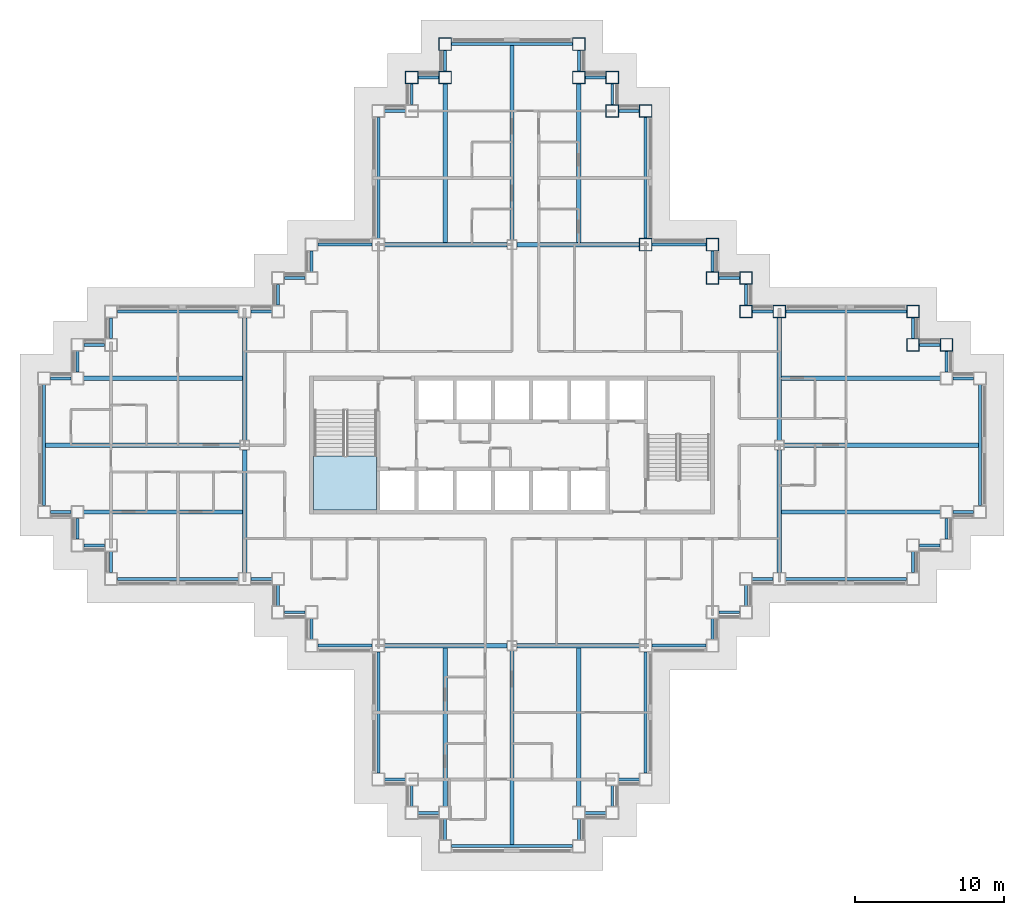
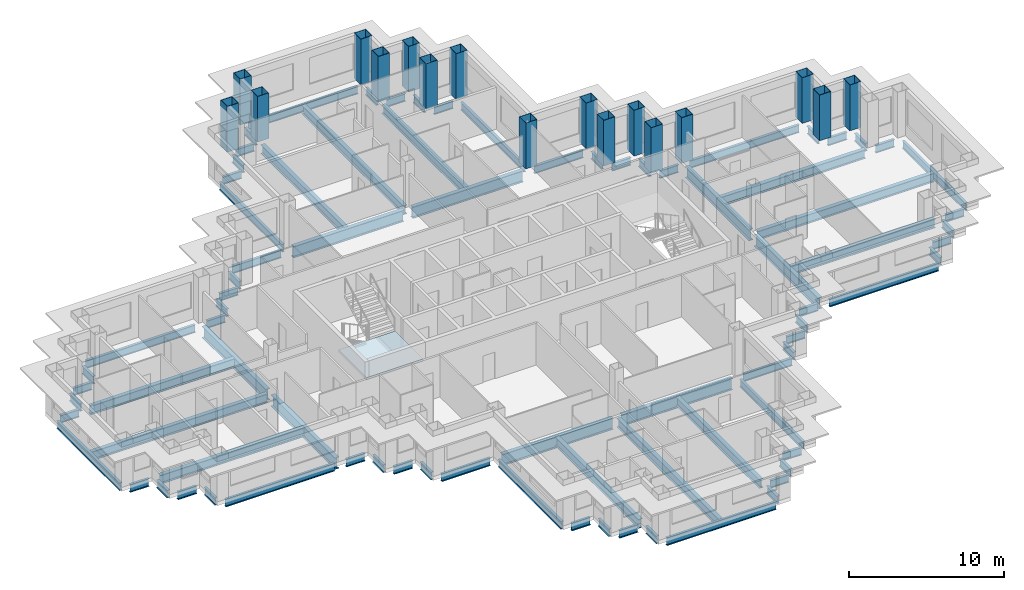
# One storey, part 2 of 16: 84 beams, 17 columns, 1 slab, 1 element without a shape of its own.
"""IFC4 building model written with IfcOpenShell, lengths in metres."""

from ifc_helpers import new_model, si_unit, direction, frame, origin, origin_2d, place, context, subcontext, project, spatial, polyline, hollow_rectangle, i_section, outline, extrude, material, layer, layer_set, material_profile, profile_set, type_object, element, aggregate, save


model = new_model("IFC4")

# Units and contexts
model_context = context("Model", 3, precision=1e-05, world=origin(), true_north=direction((0.0, 1.0)))
body_context = subcontext(model_context, "Body", "Model", "MODEL_VIEW")
ifc_project = project(units=[si_unit("LENGTHUNIT", "METRE"), si_unit("AREAUNIT", "SQUARE_METRE"), si_unit("VOLUMEUNIT", "CUBIC_METRE"), si_unit("PLANEANGLEUNIT", "RADIAN"), si_unit("MASSUNIT", "GRAM", prefix="KILO")], contexts=[model_context])

# Site, building, storey
site_placement = place(None, origin())
site = spatial("IfcSite", under=ifc_project, at=site_placement, CompositionType="ELEMENT")
building_placement = place(site_placement, origin())
building = spatial("IfcBuilding", under=site, at=building_placement, Name="Caravel Reach Hotel and Residences", CompositionType="ELEMENT")
storey_placement = place(building_placement, frame((0.0, 0.0, 133.199951171875)))
storey = spatial("IfcBuildingStorey", under=building, at=storey_placement, Name="L33", CompositionType="ELEMENT", Elevation=133.199951171875)

# Columns
ifc_material_1 = material(Name="Concrete-filled steel tube Q390B with Concrete C70 infill", Category="concrete")
ifc_material_profile_1 = material_profile(ifc_material_1, hollow_rectangle(XDim=0.85009765625, YDim=0.85009765625, WallThickness=0.02587890625, at=origin_2d()), Name="RHS 850x850x26")
ifc_profile_set_1 = profile_set([ifc_material_profile_1], Name="Concrete-filled steel tube Q390B with Concrete C70 infill")
column_type = type_object("IfcColumnType", Name="CFT 850x850 Q390B C70", PredefinedType="COLUMN", material=ifc_profile_set_1)
for number, where, z_axis, x_axis, name in (
    (1, (60.75, 33.75, 0.0), (0.0, 0.0, 1.0), (1.0, 0.0, 0.0), "C13 column"),
    (2, (58.5, 33.75, 0.0), (0.0, 0.0, 1.0), (1.0, 0.0, 0.0), "C13 column"),
    (3, (58.5, 36.0, 0.0), (0.0, 0.0, 1.0), (1.0, 0.0, 0.0), "C13 column"),
    (4, (49.5, 36.0, 0.0), (0.0, 0.0, 1.0), (1.0, 0.0, 0.0), "C13 column"),
    (5, (47.25, 36.0, 0.0), (0.0, 0.0, 1.0), (1.0, 0.0, 0.0), "C13 column"),
    (6, (47.25, 38.25, 0.0), (0.0, 0.0, 1.0), (1.0, 0.0, 0.0), "C13 column"),
    (7, (45.0, 38.25, 0.0), (0.0, 0.0, 1.0), (1.0, 0.0, 0.0), "C13 column"),
    (8, (45.0, 40.5, 0.0), (0.0, 0.0, 1.0), (1.0, 0.0, 0.0), "C13 column"),
    (9, (40.5, 40.5, 0.0), (0.0, 0.0, 1.0), (1.0, 0.0, 0.0), "C13 column"),
    (10, (40.5, 49.5, 0.0), (0.0, 0.0, 1.0), (1.0, 0.0, 0.0), "C13 column"),
    (11, (38.25, 49.5, 0.0), (0.0, 0.0, 1.0), (1.0, 0.0, 0.0), "C13 column"),
    (12, (38.25, 51.75, 0.0), (0.0, 0.0, 1.0), (1.0, 0.0, 0.0), "C13 column"),
    (13, (36.0, 51.75, 0.0), (0.0, 0.0, 1.0), (1.0, 0.0, 0.0), "C13 column"),
    (14, (36.0, 54.0, 0.0), (0.0, 0.0, 1.0), (1.0, 0.0, 0.0), "C13 column"),
    (15, (27.0, 54.0, 0.0), (0.0, 0.0, 1.0), (1.0, 0.0, 0.0), "C13 column"),
    (16, (27.0, 51.75, 0.0), (0.0, 0.0, 1.0), (1.0, 0.0, 0.0), "C13 column"),
    (17, (24.75, 51.75, 0.0), (0.0, 0.0, 1.0), (1.0, 0.0, 0.0), "C13 column"),
):
    element("IfcColumn", number, at=place(storey_placement, frame(where, z_axis=z_axis, x_axis=x_axis)), inside=storey, type_object=column_type, Name=name, PredefinedType="COLUMN", context=body_context, shape_type="SweptSolid", body=[
        extrude(hollow_rectangle(XDim=0.85009765625, YDim=0.85009765625, WallThickness=0.02587890625, at=origin_2d()), origin(), (0.0, 0.0, 1.0), 3.60009765625),
    ])

# Beams
ifc_material_2 = material(Name="Structural steel Q355B", Category="steel")
ifc_material_profile_2 = material_profile(ifc_material_2, i_section(OverallWidth=0.300048828125, OverallDepth=0.699951171875, WebThickness=0.012939453125, FlangeThickness=0.02392578125, FilletRadius=0.01806640625, at=origin_2d()), Name="HN 700x300x13x24")
ifc_profile_set_2 = profile_set([ifc_material_profile_2], Name="Structural steel Q355B")
beam_type_1 = type_object("IfcBeamType", Name="Beam HN 700x300x13x24", PredefinedType="BEAM", material=ifc_profile_set_2)
beam_1_placement = place(storey_placement, frame((27.0, 40.60009765625, -0.64990234375), z_axis=(0.0, 1.0, 0.0), x_axis=(-1.0, 0.0, 0.0)))
element("IfcBeam", 18, at=beam_1_placement, inside=storey, type_object=beam_type_1, Name="B2 HN 700x300x13x24", PredefinedType="BEAM", context=body_context, shape_type="SweptSolid", body=[
    extrude(i_section(OverallWidth=0.300048828125, OverallDepth=0.699951171875, WebThickness=0.012939453125, FlangeThickness=0.02392578125, FilletRadius=0.01806640625, at=origin_2d()), origin(), (0.0, 0.0, 1.0), 10.77490234375),
])
beam_2_placement = place(storey_placement, frame((31.5, 40.77490234375, -0.64990234375), z_axis=(0.0, 1.0, 0.0), x_axis=(-1.0, 0.0, 0.0)))
element("IfcBeam", 19, at=beam_2_placement, inside=storey, type_object=beam_type_1, Name="B2 HN 700x300x13x24", PredefinedType="BEAM", context=body_context, shape_type="SweptSolid", body=[
    extrude(i_section(OverallWidth=0.300048828125, OverallDepth=0.699951171875, WebThickness=0.012939453125, FlangeThickness=0.02392578125, FilletRadius=0.01806640625, at=origin_2d()), origin(), (0.0, 0.0, 1.0), 13.125),
])
for number, where, z_axis, x_axis, name in (
    (20, (36.0, 40.60009765625, -0.64990234375), (0.0, 1.0, 0.0), (-1.0, 0.0, 0.0), "B2 HN 700x300x13x24"),
    (21, (27.0, 13.39990234375, -0.64990234375), (0.0, -1.0, 0.0), (1.0, 0.0, 0.0), "B2 HN 700x300x13x24"),
):
    element("IfcBeam", number, at=place(storey_placement, frame(where, z_axis=z_axis, x_axis=x_axis)), inside=storey, type_object=beam_type_1, Name=name, PredefinedType="BEAM", context=body_context, shape_type="SweptSolid", body=[
        extrude(i_section(OverallWidth=0.300048828125, OverallDepth=0.699951171875, WebThickness=0.012939453125, FlangeThickness=0.02392578125, FilletRadius=0.01806640625, at=origin_2d()), origin(), (0.0, 0.0, 1.0), 10.77490234375),
    ])
beam_3_placement = place(storey_placement, frame((31.5, 13.22509765625, -0.64990234375), z_axis=(0.0, -1.0, 0.0), x_axis=(1.0, 0.0, 0.0)))
element("IfcBeam", 22, at=beam_3_placement, inside=storey, type_object=beam_type_1, Name="B2 HN 700x300x13x24", PredefinedType="BEAM", context=body_context, shape_type="SweptSolid", body=[
    extrude(i_section(OverallWidth=0.300048828125, OverallDepth=0.699951171875, WebThickness=0.012939453125, FlangeThickness=0.02392578125, FilletRadius=0.01806640625, at=origin_2d()), origin(), (0.0, 0.0, 1.0), 13.125),
])
for number, where, z_axis, x_axis, name in (
    (23, (36.0, 13.39990234375, -0.64990234375), (0.0, -1.0, 0.0), (1.0, 0.0, 0.0), "B2 HN 700x300x13x24"),
    (24, (49.60009765625, 22.5, -0.64990234375), (1.0, 0.0, 0.0), (0.0, 1.0, 0.0), "B2 HN 700x300x13x24"),
):
    element("IfcBeam", number, at=place(storey_placement, frame(where, z_axis=z_axis, x_axis=x_axis)), inside=storey, type_object=beam_type_1, Name=name, PredefinedType="BEAM", context=body_context, shape_type="SweptSolid", body=[
        extrude(i_section(OverallWidth=0.300048828125, OverallDepth=0.699951171875, WebThickness=0.012939453125, FlangeThickness=0.02392578125, FilletRadius=0.01806640625, at=origin_2d()), origin(), (0.0, 0.0, 1.0), 10.77490234375),
    ])
beam_4_placement = place(storey_placement, frame((49.77490234375, 27.0, -0.64990234375), z_axis=(1.0, 0.0, 0.0), x_axis=(0.0, 1.0, 0.0)))
element("IfcBeam", 25, at=beam_4_placement, inside=storey, type_object=beam_type_1, Name="B2 HN 700x300x13x24", PredefinedType="BEAM", context=body_context, shape_type="SweptSolid", body=[
    extrude(i_section(OverallWidth=0.300048828125, OverallDepth=0.699951171875, WebThickness=0.012939453125, FlangeThickness=0.02392578125, FilletRadius=0.01806640625, at=origin_2d()), origin(), (0.0, 0.0, 1.0), 13.125),
])
for number, where, z_axis, x_axis, name in (
    (26, (49.60009765625, 31.5, -0.64990234375), (1.0, 0.0, 0.0), (0.0, 1.0, 0.0), "B2 HN 700x300x13x24"),
    (27, (13.39990234375, 22.5, -0.64990234375), (-1.0, 0.0, 0.0), (0.0, -1.0, 0.0), "B2 HN 700x300x13x24"),
):
    element("IfcBeam", number, at=place(storey_placement, frame(where, z_axis=z_axis, x_axis=x_axis)), inside=storey, type_object=beam_type_1, Name=name, PredefinedType="BEAM", context=body_context, shape_type="SweptSolid", body=[
        extrude(i_section(OverallWidth=0.300048828125, OverallDepth=0.699951171875, WebThickness=0.012939453125, FlangeThickness=0.02392578125, FilletRadius=0.01806640625, at=origin_2d()), origin(), (0.0, 0.0, 1.0), 10.77490234375),
    ])
beam_5_placement = place(storey_placement, frame((13.22509765625, 27.0, -0.64990234375), z_axis=(-1.0, 0.0, 0.0), x_axis=(0.0, -1.0, 0.0)))
element("IfcBeam", 28, at=beam_5_placement, inside=storey, type_object=beam_type_1, Name="B2 HN 700x300x13x24", PredefinedType="BEAM", context=body_context, shape_type="SweptSolid", body=[
    extrude(i_section(OverallWidth=0.300048828125, OverallDepth=0.699951171875, WebThickness=0.012939453125, FlangeThickness=0.02392578125, FilletRadius=0.01806640625, at=origin_2d()), origin(), (0.0, 0.0, 1.0), 13.125),
])
beam_6_placement = place(storey_placement, frame((13.39990234375, 31.5, -0.64990234375), z_axis=(-1.0, 0.0, 0.0), x_axis=(0.0, -1.0, 0.0)))
element("IfcBeam", 29, at=beam_6_placement, inside=storey, type_object=beam_type_1, Name="B2 HN 700x300x13x24", PredefinedType="BEAM", context=body_context, shape_type="SweptSolid", body=[
    extrude(i_section(OverallWidth=0.300048828125, OverallDepth=0.699951171875, WebThickness=0.012939453125, FlangeThickness=0.02392578125, FilletRadius=0.01806640625, at=origin_2d()), origin(), (0.0, 0.0, 1.0), 10.77490234375),
])
ifc_material_3 = material(Name="Structural steel Q355B", Category="steel")
ifc_material_profile_3 = material_profile(ifc_material_3, i_section(OverallWidth=0.300048828125, OverallDepth=0.89990234375, WebThickness=0.01611328125, FlangeThickness=0.028076171875, FilletRadius=0.01806640625, at=origin_2d()), Name="HN 900x300x16x28")
ifc_profile_set_3 = profile_set([ifc_material_profile_3], Name="Structural steel Q355B")
beam_type_2 = type_object("IfcBeamType", Name="Beam HN 900x300x16x28", PredefinedType="BEAM", material=ifc_profile_set_3)
for number, where, z_axis, x_axis, name in (
    (30, (22.925048828125, 40.5, -0.75), (1.0, 0.0, 0.0), (0.0, 1.0, 0.0), "B3 HN 900x300x16x28"),
    (31, (31.824951171875, 40.5, -0.75), (1.0, 0.0, 0.0), (0.0, 1.0, 0.0), "B3 HN 900x300x16x28"),
    (32, (22.925048828125, 13.5, -0.75), (1.0, 0.0, 0.0), (0.0, 1.0, 0.0), "B3 HN 900x300x16x28"),
    (33, (31.824951171875, 13.5, -0.75), (1.0, 0.0, 0.0), (0.0, 1.0, 0.0), "B3 HN 900x300x16x28"),
    (34, (13.5, 18.425048828125, -0.75), (0.0, 1.0, 0.0), (-1.0, 0.0, 0.0), "B3 HN 900x300x16x28"),
    (35, (13.5, 27.324951171875, -0.75), (0.0, 1.0, 0.0), (-1.0, 0.0, 0.0), "B3 HN 900x300x16x28"),
    (36, (49.5, 18.425048828125, -0.75), (0.0, 1.0, 0.0), (-1.0, 0.0, 0.0), "B3 HN 900x300x16x28"),
    (37, (49.5, 27.324951171875, -0.75), (0.0, 1.0, 0.0), (-1.0, 0.0, 0.0), "B3 HN 900x300x16x28"),
):
    element("IfcBeam", number, at=place(storey_placement, frame(where, z_axis=z_axis, x_axis=x_axis)), inside=storey, type_object=beam_type_2, Name=name, PredefinedType="BEAM", context=body_context, shape_type="SweptSolid", body=[
        extrude(i_section(OverallWidth=0.300048828125, OverallDepth=0.89990234375, WebThickness=0.01611328125, FlangeThickness=0.028076171875, FilletRadius=0.01806640625, at=origin_2d()), origin(), (0.0, 0.0, 1.0), 8.25),
    ])
ifc_material_4 = material(Name="Structural steel Q355B", Category="steel")
ifc_material_profile_4 = material_profile(ifc_material_4, i_section(OverallWidth=0.199951171875, OverallDepth=0.60009765625, WebThickness=0.010986328125, FlangeThickness=0.01708984375, FilletRadius=0.012939453125, at=origin_2d()), Name="HN 600x200x11x17")
ifc_profile_set_4 = profile_set([ifc_material_profile_4], Name="Structural steel Q355B")
beam_type_3 = type_object("IfcBeamType", Name="Spandrel beam HN 600x200x11x17", PredefinedType="SPANDREL", material=ifc_profile_set_4)
for number, where, z_axis, x_axis, name in (
    (38, (22.925048828125, 4.5, -0.599853515625), (1.0, 0.0, 0.0), (0.0, 1.0, 0.0), "SP1 HN 600x200x11x17"),
    (39, (24.75, 4.074951171875, -0.599853515625), (0.0, -1.0, 0.0), (1.0, 0.0, 0.0), "SP1 HN 600x200x11x17"),
    (40, (25.175048828125, 2.25, -0.599853515625), (1.0, 0.0, 0.0), (0.0, 1.0, 0.0), "SP1 HN 600x200x11x17"),
    (41, (27.0, 1.824951171875, -0.599853515625), (0.0, -1.0, 0.0), (1.0, 0.0, 0.0), "SP1 HN 600x200x11x17"),
):
    element("IfcBeam", number, at=place(storey_placement, frame(where, z_axis=z_axis, x_axis=x_axis)), inside=storey, type_object=beam_type_3, Name=name, PredefinedType="SPANDREL", context=body_context, shape_type="SweptSolid", body=[
        extrude(i_section(OverallWidth=0.199951171875, OverallDepth=0.60009765625, WebThickness=0.010986328125, FlangeThickness=0.01708984375, FilletRadius=0.012939453125, at=origin_2d()), origin(), (0.0, 0.0, 1.0), 1.39990234375),
    ])
beam_7_placement = place(storey_placement, frame((27.425048828125, 0.0, -0.599853515625), z_axis=(1.0, 0.0, 0.0), x_axis=(0.0, 1.0, 0.0)))
element("IfcBeam", 42, at=beam_7_placement, inside=storey, type_object=beam_type_3, Name="SP1 HN 600x200x11x17", PredefinedType="SPANDREL", context=body_context, shape_type="SweptSolid", body=[
    extrude(i_section(OverallWidth=0.199951171875, OverallDepth=0.60009765625, WebThickness=0.010986328125, FlangeThickness=0.01708984375, FilletRadius=0.012939453125, at=origin_2d()), origin(), (0.0, 0.0, 1.0), 8.14990234375),
])
for number, where, z_axis, x_axis, name in (
    (43, (36.0, 0.425048828125, -0.599853515625), (0.0, 1.0, 0.0), (-1.0, 0.0, 0.0), "SP1 HN 600x200x11x17"),
    (44, (36.425048828125, 2.25, -0.599853515625), (1.0, 0.0, 0.0), (0.0, 1.0, 0.0), "SP1 HN 600x200x11x17"),
    (45, (38.25, 2.675048828125, -0.599853515625), (0.0, 1.0, 0.0), (-1.0, 0.0, 0.0), "SP1 HN 600x200x11x17"),
    (46, (38.675048828125, 4.5, -0.599853515625), (1.0, 0.0, 0.0), (0.0, 1.0, 0.0), "SP1 HN 600x200x11x17"),
):
    element("IfcBeam", number, at=place(storey_placement, frame(where, z_axis=z_axis, x_axis=x_axis)), inside=storey, type_object=beam_type_3, Name=name, PredefinedType="SPANDREL", context=body_context, shape_type="SweptSolid", body=[
        extrude(i_section(OverallWidth=0.199951171875, OverallDepth=0.60009765625, WebThickness=0.010986328125, FlangeThickness=0.01708984375, FilletRadius=0.012939453125, at=origin_2d()), origin(), (0.0, 0.0, 1.0), 1.39990234375),
    ])
beam_8_placement = place(storey_placement, frame((40.5, 4.925048828125, -0.599853515625), z_axis=(0.0, 1.0, 0.0), x_axis=(-1.0, 0.0, 0.0)))
element("IfcBeam", 47, at=beam_8_placement, inside=storey, type_object=beam_type_3, Name="SP1 HN 600x200x11x17", PredefinedType="SPANDREL", context=body_context, shape_type="SweptSolid", body=[
    extrude(i_section(OverallWidth=0.199951171875, OverallDepth=0.60009765625, WebThickness=0.010986328125, FlangeThickness=0.01708984375, FilletRadius=0.012939453125, at=origin_2d()), origin(), (0.0, 0.0, 1.0), 8.14990234375),
])
beam_9_placement = place(storey_placement, frame((40.925048828125, 13.5, -0.599853515625), z_axis=(1.0, 0.0, 0.0), x_axis=(0.0, 1.0, 0.0)))
element("IfcBeam", 48, at=beam_9_placement, inside=storey, type_object=beam_type_3, Name="SP1 HN 600x200x11x17", PredefinedType="SPANDREL", context=body_context, shape_type="SweptSolid", body=[
    extrude(i_section(OverallWidth=0.199951171875, OverallDepth=0.60009765625, WebThickness=0.010986328125, FlangeThickness=0.01708984375, FilletRadius=0.012939453125, at=origin_2d()), origin(), (0.0, 0.0, 1.0), 3.64990234375),
])
for number, where, z_axis, x_axis, name in (
    (49, (45.0, 13.925048828125, -0.599853515625), (0.0, 1.0, 0.0), (-1.0, 0.0, 0.0), "SP1 HN 600x200x11x17"),
    (50, (45.425048828125, 15.75, -0.599853515625), (1.0, 0.0, 0.0), (0.0, 1.0, 0.0), "SP1 HN 600x200x11x17"),
    (51, (47.25, 16.175048828125, -0.599853515625), (0.0, 1.0, 0.0), (-1.0, 0.0, 0.0), "SP1 HN 600x200x11x17"),
    (52, (47.675048828125, 18.0, -0.599853515625), (1.0, 0.0, 0.0), (0.0, 1.0, 0.0), "SP1 HN 600x200x11x17"),
):
    element("IfcBeam", number, at=place(storey_placement, frame(where, z_axis=z_axis, x_axis=x_axis)), inside=storey, type_object=beam_type_3, Name=name, PredefinedType="SPANDREL", context=body_context, shape_type="SweptSolid", body=[
        extrude(i_section(OverallWidth=0.199951171875, OverallDepth=0.60009765625, WebThickness=0.010986328125, FlangeThickness=0.01708984375, FilletRadius=0.012939453125, at=origin_2d()), origin(), (0.0, 0.0, 1.0), 1.39990234375),
    ])
beam_10_placement = place(storey_placement, frame((49.925048828125, 18.0, -0.599853515625), z_axis=(1.0, 0.0, 0.0), x_axis=(0.0, 1.0, 0.0)))
element("IfcBeam", 53, at=beam_10_placement, inside=storey, type_object=beam_type_3, Name="SP1 HN 600x200x11x17", PredefinedType="SPANDREL", context=body_context, shape_type="SweptSolid", body=[
    extrude(i_section(OverallWidth=0.199951171875, OverallDepth=0.60009765625, WebThickness=0.010986328125, FlangeThickness=0.01708984375, FilletRadius=0.012939453125, at=origin_2d()), origin(), (0.0, 0.0, 1.0), 8.14990234375),
])
for number, where, z_axis, x_axis, name in (
    (54, (58.5, 18.425048828125, -0.599853515625), (0.0, 1.0, 0.0), (-1.0, 0.0, 0.0), "SP1 HN 600x200x11x17"),
    (55, (58.925048828125, 20.25, -0.599853515625), (1.0, 0.0, 0.0), (0.0, 1.0, 0.0), "SP1 HN 600x200x11x17"),
    (56, (60.75, 20.675048828125, -0.599853515625), (0.0, 1.0, 0.0), (-1.0, 0.0, 0.0), "SP1 HN 600x200x11x17"),
    (57, (61.175048828125, 22.5, -0.599853515625), (1.0, 0.0, 0.0), (0.0, 1.0, 0.0), "SP1 HN 600x200x11x17"),
):
    element("IfcBeam", number, at=place(storey_placement, frame(where, z_axis=z_axis, x_axis=x_axis)), inside=storey, type_object=beam_type_3, Name=name, PredefinedType="SPANDREL", context=body_context, shape_type="SweptSolid", body=[
        extrude(i_section(OverallWidth=0.199951171875, OverallDepth=0.60009765625, WebThickness=0.010986328125, FlangeThickness=0.01708984375, FilletRadius=0.012939453125, at=origin_2d()), origin(), (0.0, 0.0, 1.0), 1.39990234375),
    ])
beam_11_placement = place(storey_placement, frame((63.0, 22.925048828125, -0.599853515625), z_axis=(0.0, 1.0, 0.0), x_axis=(-1.0, 0.0, 0.0)))
element("IfcBeam", 58, at=beam_11_placement, inside=storey, type_object=beam_type_3, Name="SP1 HN 600x200x11x17", PredefinedType="SPANDREL", context=body_context, shape_type="SweptSolid", body=[
    extrude(i_section(OverallWidth=0.199951171875, OverallDepth=0.60009765625, WebThickness=0.010986328125, FlangeThickness=0.01708984375, FilletRadius=0.012939453125, at=origin_2d()), origin(), (0.0, 0.0, 1.0), 8.14990234375),
])
for number, where, z_axis, x_axis, name in (
    (59, (62.574951171875, 31.5, -0.599853515625), (-1.0, 0.0, 0.0), (0.0, -1.0, 0.0), "SP1 HN 600x200x11x17"),
    (60, (60.75, 31.925048828125, -0.599853515625), (0.0, 1.0, 0.0), (-1.0, 0.0, 0.0), "SP1 HN 600x200x11x17"),
    (61, (60.324951171875, 33.75, -0.599853515625), (-1.0, 0.0, 0.0), (0.0, -1.0, 0.0), "SP1 HN 600x200x11x17"),
    (62, (58.5, 34.175048828125, -0.599853515625), (0.0, 1.0, 0.0), (-1.0, 0.0, 0.0), "SP1 HN 600x200x11x17"),
):
    element("IfcBeam", number, at=place(storey_placement, frame(where, z_axis=z_axis, x_axis=x_axis)), inside=storey, type_object=beam_type_3, Name=name, PredefinedType="SPANDREL", context=body_context, shape_type="SweptSolid", body=[
        extrude(i_section(OverallWidth=0.199951171875, OverallDepth=0.60009765625, WebThickness=0.010986328125, FlangeThickness=0.01708984375, FilletRadius=0.012939453125, at=origin_2d()), origin(), (0.0, 0.0, 1.0), 1.39990234375),
    ])
beam_12_placement = place(storey_placement, frame((58.074951171875, 36.0, -0.599853515625), z_axis=(-1.0, 0.0, 0.0), x_axis=(0.0, -1.0, 0.0)))
element("IfcBeam", 63, at=beam_12_placement, inside=storey, type_object=beam_type_3, Name="SP1 HN 600x200x11x17", PredefinedType="SPANDREL", context=body_context, shape_type="SweptSolid", body=[
    extrude(i_section(OverallWidth=0.199951171875, OverallDepth=0.60009765625, WebThickness=0.010986328125, FlangeThickness=0.01708984375, FilletRadius=0.012939453125, at=origin_2d()), origin(), (0.0, 0.0, 1.0), 8.14990234375),
])
for number, where, z_axis, x_axis, name in (
    (64, (49.074951171875, 36.0, -0.599853515625), (-1.0, 0.0, 0.0), (0.0, -1.0, 0.0), "SP1 HN 600x200x11x17"),
    (65, (47.25, 36.425048828125, -0.599853515625), (0.0, 1.0, 0.0), (-1.0, 0.0, 0.0), "SP1 HN 600x200x11x17"),
    (66, (46.824951171875, 38.25, -0.599853515625), (-1.0, 0.0, 0.0), (0.0, -1.0, 0.0), "SP1 HN 600x200x11x17"),
    (67, (45.0, 38.675048828125, -0.599853515625), (0.0, 1.0, 0.0), (-1.0, 0.0, 0.0), "SP1 HN 600x200x11x17"),
):
    element("IfcBeam", number, at=place(storey_placement, frame(where, z_axis=z_axis, x_axis=x_axis)), inside=storey, type_object=beam_type_3, Name=name, PredefinedType="SPANDREL", context=body_context, shape_type="SweptSolid", body=[
        extrude(i_section(OverallWidth=0.199951171875, OverallDepth=0.60009765625, WebThickness=0.010986328125, FlangeThickness=0.01708984375, FilletRadius=0.012939453125, at=origin_2d()), origin(), (0.0, 0.0, 1.0), 1.39990234375),
    ])
beam_13_placement = place(storey_placement, frame((44.574951171875, 40.5, -0.599853515625), z_axis=(-1.0, 0.0, 0.0), x_axis=(0.0, -1.0, 0.0)))
element("IfcBeam", 68, at=beam_13_placement, inside=storey, type_object=beam_type_3, Name="SP1 HN 600x200x11x17", PredefinedType="SPANDREL", context=body_context, shape_type="SweptSolid", body=[
    extrude(i_section(OverallWidth=0.199951171875, OverallDepth=0.60009765625, WebThickness=0.010986328125, FlangeThickness=0.01708984375, FilletRadius=0.012939453125, at=origin_2d()), origin(), (0.0, 0.0, 1.0), 3.64990234375),
])
beam_14_placement = place(storey_placement, frame((40.5, 40.925048828125, -0.599853515625), z_axis=(0.0, 1.0, 0.0), x_axis=(-1.0, 0.0, 0.0)))
element("IfcBeam", 69, at=beam_14_placement, inside=storey, type_object=beam_type_3, Name="SP1 HN 600x200x11x17", PredefinedType="SPANDREL", context=body_context, shape_type="SweptSolid", body=[
    extrude(i_section(OverallWidth=0.199951171875, OverallDepth=0.60009765625, WebThickness=0.010986328125, FlangeThickness=0.01708984375, FilletRadius=0.012939453125, at=origin_2d()), origin(), (0.0, 0.0, 1.0), 8.14990234375),
])
for number, where, z_axis, x_axis, name in (
    (70, (40.074951171875, 49.5, -0.599853515625), (-1.0, 0.0, 0.0), (0.0, -1.0, 0.0), "SP1 HN 600x200x11x17"),
    (71, (38.25, 49.925048828125, -0.599853515625), (0.0, 1.0, 0.0), (-1.0, 0.0, 0.0), "SP1 HN 600x200x11x17"),
    (72, (37.824951171875, 51.75, -0.599853515625), (-1.0, 0.0, 0.0), (0.0, -1.0, 0.0), "SP1 HN 600x200x11x17"),
    (73, (36.0, 52.175048828125, -0.599853515625), (0.0, 1.0, 0.0), (-1.0, 0.0, 0.0), "SP1 HN 600x200x11x17"),
):
    element("IfcBeam", number, at=place(storey_placement, frame(where, z_axis=z_axis, x_axis=x_axis)), inside=storey, type_object=beam_type_3, Name=name, PredefinedType="SPANDREL", context=body_context, shape_type="SweptSolid", body=[
        extrude(i_section(OverallWidth=0.199951171875, OverallDepth=0.60009765625, WebThickness=0.010986328125, FlangeThickness=0.01708984375, FilletRadius=0.012939453125, at=origin_2d()), origin(), (0.0, 0.0, 1.0), 1.39990234375),
    ])
beam_15_placement = place(storey_placement, frame((35.574951171875, 54.0, -0.599853515625), z_axis=(-1.0, 0.0, 0.0), x_axis=(0.0, -1.0, 0.0)))
element("IfcBeam", 74, at=beam_15_placement, inside=storey, type_object=beam_type_3, Name="SP1 HN 600x200x11x17", PredefinedType="SPANDREL", context=body_context, shape_type="SweptSolid", body=[
    extrude(i_section(OverallWidth=0.199951171875, OverallDepth=0.60009765625, WebThickness=0.010986328125, FlangeThickness=0.01708984375, FilletRadius=0.012939453125, at=origin_2d()), origin(), (0.0, 0.0, 1.0), 8.14990234375),
])
for number, where, z_axis, x_axis, name in (
    (75, (27.0, 53.574951171875, -0.599853515625), (0.0, -1.0, 0.0), (1.0, 0.0, 0.0), "SP1 HN 600x200x11x17"),
    (76, (26.574951171875, 51.75, -0.599853515625), (-1.0, 0.0, 0.0), (0.0, -1.0, 0.0), "SP1 HN 600x200x11x17"),
    (77, (24.75, 51.324951171875, -0.599853515625), (0.0, -1.0, 0.0), (1.0, 0.0, 0.0), "SP1 HN 600x200x11x17"),
    (78, (24.324951171875, 49.5, -0.599853515625), (-1.0, 0.0, 0.0), (0.0, -1.0, 0.0), "SP1 HN 600x200x11x17"),
):
    element("IfcBeam", number, at=place(storey_placement, frame(where, z_axis=z_axis, x_axis=x_axis)), inside=storey, type_object=beam_type_3, Name=name, PredefinedType="SPANDREL", context=body_context, shape_type="SweptSolid", body=[
        extrude(i_section(OverallWidth=0.199951171875, OverallDepth=0.60009765625, WebThickness=0.010986328125, FlangeThickness=0.01708984375, FilletRadius=0.012939453125, at=origin_2d()), origin(), (0.0, 0.0, 1.0), 1.39990234375),
    ])
beam_16_placement = place(storey_placement, frame((22.5, 49.074951171875, -0.599853515625), z_axis=(0.0, -1.0, 0.0), x_axis=(1.0, 0.0, 0.0)))
element("IfcBeam", 79, at=beam_16_placement, inside=storey, type_object=beam_type_3, Name="SP1 HN 600x200x11x17", PredefinedType="SPANDREL", context=body_context, shape_type="SweptSolid", body=[
    extrude(i_section(OverallWidth=0.199951171875, OverallDepth=0.60009765625, WebThickness=0.010986328125, FlangeThickness=0.01708984375, FilletRadius=0.012939453125, at=origin_2d()), origin(), (0.0, 0.0, 1.0), 8.14990234375),
])
beam_17_placement = place(storey_placement, frame((22.074951171875, 40.5, -0.599853515625), z_axis=(-1.0, 0.0, 0.0), x_axis=(0.0, -1.0, 0.0)))
element("IfcBeam", 80, at=beam_17_placement, inside=storey, type_object=beam_type_3, Name="SP1 HN 600x200x11x17", PredefinedType="SPANDREL", context=body_context, shape_type="SweptSolid", body=[
    extrude(i_section(OverallWidth=0.199951171875, OverallDepth=0.60009765625, WebThickness=0.010986328125, FlangeThickness=0.01708984375, FilletRadius=0.012939453125, at=origin_2d()), origin(), (0.0, 0.0, 1.0), 3.64990234375),
])
for number, where, z_axis, x_axis, name in (
    (81, (18.0, 40.074951171875, -0.599853515625), (0.0, -1.0, 0.0), (1.0, 0.0, 0.0), "SP1 HN 600x200x11x17"),
    (82, (17.574951171875, 38.25, -0.599853515625), (-1.0, 0.0, 0.0), (0.0, -1.0, 0.0), "SP1 HN 600x200x11x17"),
    (83, (15.75, 37.824951171875, -0.599853515625), (0.0, -1.0, 0.0), (1.0, 0.0, 0.0), "SP1 HN 600x200x11x17"),
    (84, (15.324951171875, 36.0, -0.599853515625), (-1.0, 0.0, 0.0), (0.0, -1.0, 0.0), "SP1 HN 600x200x11x17"),
):
    element("IfcBeam", number, at=place(storey_placement, frame(where, z_axis=z_axis, x_axis=x_axis)), inside=storey, type_object=beam_type_3, Name=name, PredefinedType="SPANDREL", context=body_context, shape_type="SweptSolid", body=[
        extrude(i_section(OverallWidth=0.199951171875, OverallDepth=0.60009765625, WebThickness=0.010986328125, FlangeThickness=0.01708984375, FilletRadius=0.012939453125, at=origin_2d()), origin(), (0.0, 0.0, 1.0), 1.39990234375),
    ])
beam_18_placement = place(storey_placement, frame((13.074951171875, 36.0, -0.599853515625), z_axis=(-1.0, 0.0, 0.0), x_axis=(0.0, -1.0, 0.0)))
element("IfcBeam", 85, at=beam_18_placement, inside=storey, type_object=beam_type_3, Name="SP1 HN 600x200x11x17", PredefinedType="SPANDREL", context=body_context, shape_type="SweptSolid", body=[
    extrude(i_section(OverallWidth=0.199951171875, OverallDepth=0.60009765625, WebThickness=0.010986328125, FlangeThickness=0.01708984375, FilletRadius=0.012939453125, at=origin_2d()), origin(), (0.0, 0.0, 1.0), 8.14990234375),
])
for number, where, z_axis, x_axis, name in (
    (86, (4.5, 35.574951171875, -0.599853515625), (0.0, -1.0, 0.0), (1.0, 0.0, 0.0), "SP1 HN 600x200x11x17"),
    (87, (4.074951171875, 33.75, -0.599853515625), (-1.0, 0.0, 0.0), (0.0, -1.0, 0.0), "SP1 HN 600x200x11x17"),
    (88, (2.25, 33.324951171875, -0.599853515625), (0.0, -1.0, 0.0), (1.0, 0.0, 0.0), "SP1 HN 600x200x11x17"),
    (89, (1.824951171875, 31.5, -0.599853515625), (-1.0, 0.0, 0.0), (0.0, -1.0, 0.0), "SP1 HN 600x200x11x17"),
):
    element("IfcBeam", number, at=place(storey_placement, frame(where, z_axis=z_axis, x_axis=x_axis)), inside=storey, type_object=beam_type_3, Name=name, PredefinedType="SPANDREL", context=body_context, shape_type="SweptSolid", body=[
        extrude(i_section(OverallWidth=0.199951171875, OverallDepth=0.60009765625, WebThickness=0.010986328125, FlangeThickness=0.01708984375, FilletRadius=0.012939453125, at=origin_2d()), origin(), (0.0, 0.0, 1.0), 1.39990234375),
    ])
beam_19_placement = place(storey_placement, frame((0.0, 31.074951171875, -0.599853515625), z_axis=(0.0, -1.0, 0.0), x_axis=(1.0, 0.0, 0.0)))
element("IfcBeam", 90, at=beam_19_placement, inside=storey, type_object=beam_type_3, Name="SP1 HN 600x200x11x17", PredefinedType="SPANDREL", context=body_context, shape_type="SweptSolid", body=[
    extrude(i_section(OverallWidth=0.199951171875, OverallDepth=0.60009765625, WebThickness=0.010986328125, FlangeThickness=0.01708984375, FilletRadius=0.012939453125, at=origin_2d()), origin(), (0.0, 0.0, 1.0), 8.14990234375),
])
for number, where, z_axis, x_axis, name in (
    (91, (0.425048828125, 22.5, -0.599853515625), (1.0, 0.0, 0.0), (0.0, 1.0, 0.0), "SP1 HN 600x200x11x17"),
    (92, (2.25, 22.074951171875, -0.599853515625), (0.0, -1.0, 0.0), (1.0, 0.0, 0.0), "SP1 HN 600x200x11x17"),
    (93, (2.675048828125, 20.25, -0.599853515625), (1.0, 0.0, 0.0), (0.0, 1.0, 0.0), "SP1 HN 600x200x11x17"),
    (94, (4.5, 19.824951171875, -0.599853515625), (0.0, -1.0, 0.0), (1.0, 0.0, 0.0), "SP1 HN 600x200x11x17"),
):
    element("IfcBeam", number, at=place(storey_placement, frame(where, z_axis=z_axis, x_axis=x_axis)), inside=storey, type_object=beam_type_3, Name=name, PredefinedType="SPANDREL", context=body_context, shape_type="SweptSolid", body=[
        extrude(i_section(OverallWidth=0.199951171875, OverallDepth=0.60009765625, WebThickness=0.010986328125, FlangeThickness=0.01708984375, FilletRadius=0.012939453125, at=origin_2d()), origin(), (0.0, 0.0, 1.0), 1.39990234375),
    ])
beam_20_placement = place(storey_placement, frame((4.925048828125, 18.0, -0.599853515625), z_axis=(1.0, 0.0, 0.0), x_axis=(0.0, 1.0, 0.0)))
element("IfcBeam", 95, at=beam_20_placement, inside=storey, type_object=beam_type_3, Name="SP1 HN 600x200x11x17", PredefinedType="SPANDREL", context=body_context, shape_type="SweptSolid", body=[
    extrude(i_section(OverallWidth=0.199951171875, OverallDepth=0.60009765625, WebThickness=0.010986328125, FlangeThickness=0.01708984375, FilletRadius=0.012939453125, at=origin_2d()), origin(), (0.0, 0.0, 1.0), 8.14990234375),
])
for number, where, z_axis, x_axis, name in (
    (96, (13.925048828125, 18.0, -0.599853515625), (1.0, 0.0, 0.0), (0.0, 1.0, 0.0), "SP1 HN 600x200x11x17"),
    (97, (15.75, 17.574951171875, -0.599853515625), (0.0, -1.0, 0.0), (1.0, 0.0, 0.0), "SP1 HN 600x200x11x17"),
    (98, (16.175048828125, 15.75, -0.599853515625), (1.0, 0.0, 0.0), (0.0, 1.0, 0.0), "SP1 HN 600x200x11x17"),
    (99, (18.0, 15.324951171875, -0.599853515625), (0.0, -1.0, 0.0), (1.0, 0.0, 0.0), "SP1 HN 600x200x11x17"),
):
    element("IfcBeam", number, at=place(storey_placement, frame(where, z_axis=z_axis, x_axis=x_axis)), inside=storey, type_object=beam_type_3, Name=name, PredefinedType="SPANDREL", context=body_context, shape_type="SweptSolid", body=[
        extrude(i_section(OverallWidth=0.199951171875, OverallDepth=0.60009765625, WebThickness=0.010986328125, FlangeThickness=0.01708984375, FilletRadius=0.012939453125, at=origin_2d()), origin(), (0.0, 0.0, 1.0), 1.39990234375),
    ])
beam_21_placement = place(storey_placement, frame((18.425048828125, 13.5, -0.599853515625), z_axis=(1.0, 0.0, 0.0), x_axis=(0.0, 1.0, 0.0)))
element("IfcBeam", 100, at=beam_21_placement, inside=storey, type_object=beam_type_3, Name="SP1 HN 600x200x11x17", PredefinedType="SPANDREL", context=body_context, shape_type="SweptSolid", body=[
    extrude(i_section(OverallWidth=0.199951171875, OverallDepth=0.60009765625, WebThickness=0.010986328125, FlangeThickness=0.01708984375, FilletRadius=0.012939453125, at=origin_2d()), origin(), (0.0, 0.0, 1.0), 3.64990234375),
])
beam_22_placement = place(storey_placement, frame((22.5, 13.074951171875, -0.599853515625), z_axis=(0.0, -1.0, 0.0), x_axis=(1.0, 0.0, 0.0)))
element("IfcBeam", 101, at=beam_22_placement, inside=storey, type_object=beam_type_3, Name="SP1 HN 600x200x11x17", PredefinedType="SPANDREL", context=body_context, shape_type="SweptSolid", body=[
    extrude(i_section(OverallWidth=0.199951171875, OverallDepth=0.60009765625, WebThickness=0.010986328125, FlangeThickness=0.01708984375, FilletRadius=0.012939453125, at=origin_2d()), origin(), (0.0, 0.0, 1.0), 8.14990234375),
])

# Stair, slab
ifc_material_5 = material(Name="Concrete C40", Category="concrete")
stair_type = type_object("IfcStairType", Name="Core stair", PredefinedType="HALF_TURN_STAIR", material=ifc_material_5)
stair_placement = place(storey_placement, origin())
stair = element("IfcStair", 102, at=stair_placement, inside=storey, type_object=stair_type, Name="L33 Exit stair A", PredefinedType="HALF_TURN_STAIR")
ifc_material_6 = material(Name="Concrete C40", Category="concrete")
ifc_layer = layer(ifc_material_6, 0.199951171875)
ifc_layer_set = layer_set([ifc_layer], Name="Core stair landing")
slab_type = type_object("IfcSlabType", Name="Core stair landing", PredefinedType="LANDING", material=ifc_layer_set)
slab_placement = place(storey_placement, frame((0.0, 0.0, 1.60009765625)))
slab = element("IfcSlab", 103, at=slab_placement, type_object=slab_type, Name="ST-A landing 1", PredefinedType="LANDING", context=body_context, shape_type="SweptSolid", body=[
    extrude(outline(polyline([(18.14990234375, 26.27001953125), (18.14990234375, 22.64990234375), (22.375, 22.64990234375), (22.375, 26.27001953125), (18.14990234375, 26.27001953125)])), origin(), (0.0, 0.0, 1.0), 0.199951171875),
])
aggregate(stair, [slab])

save(model, "model.ifc")
